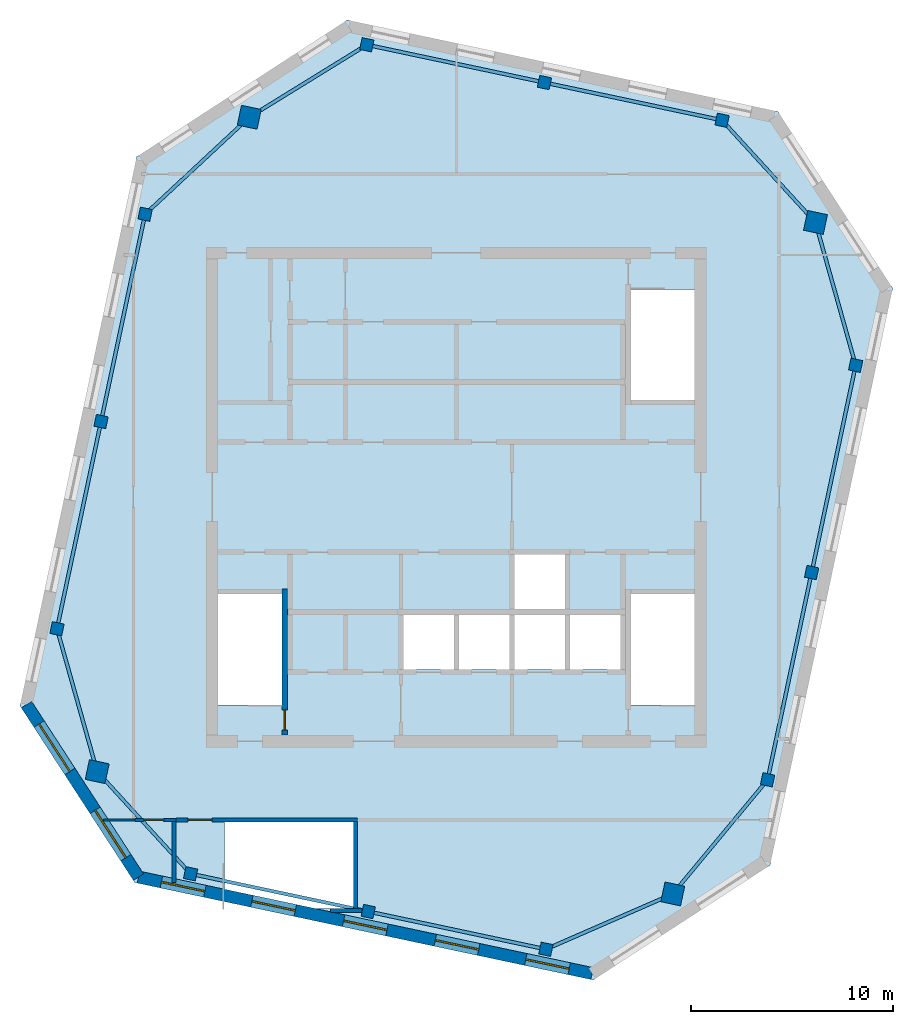
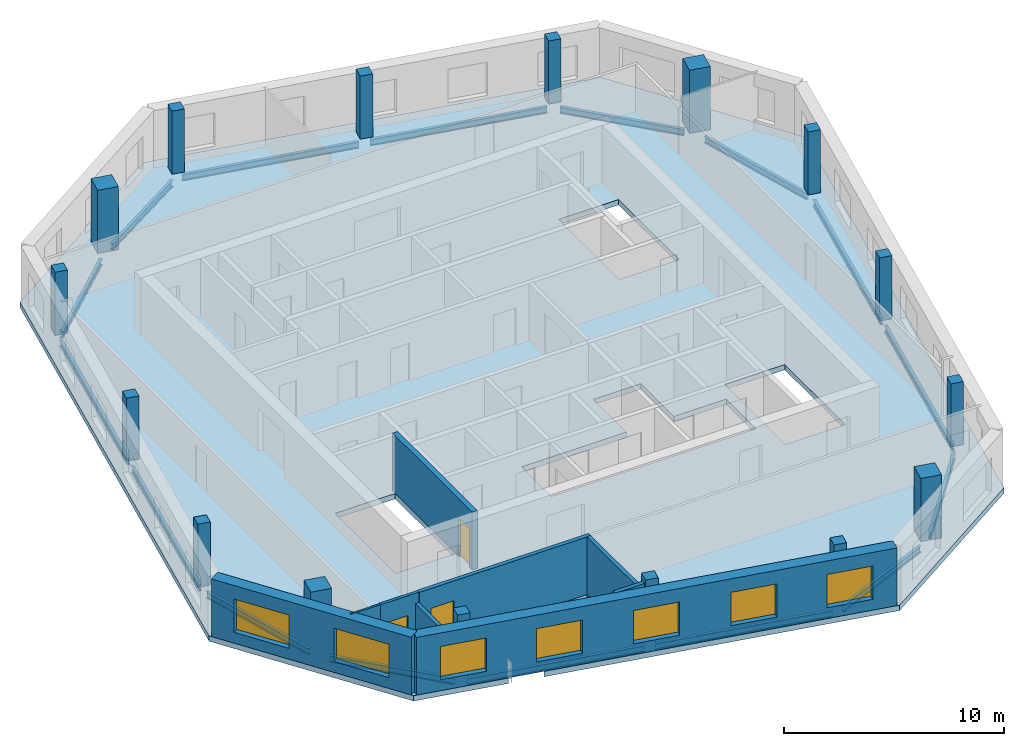
# One storey, part 1 of 6: 16 beams, 16 columns, 9 walls, 7 windows, 3 doors, 1 slab, 10 openings.
"""IFC4 building model written with IfcOpenShell, lengths in metres."""

from ifc_helpers import new_model, si_unit, direction, frame, frame_2d, origin, origin_2d, place, context, subcontext, project, spatial, polyline, rectangle, i_section, outline, extrude, material, layer, layer_set, material_profile, profile_set, type_object, element, fill, save


model = new_model("IFC4")

# Units and contexts
model_context = context("Model", 3, precision=1e-05, world=origin(), true_north=direction((0.0, 1.0)))
body_context = subcontext(model_context, "Body", "Model", "MODEL_VIEW")
ifc_project = project(units=[si_unit("LENGTHUNIT", "METRE"), si_unit("AREAUNIT", "SQUARE_METRE"), si_unit("VOLUMEUNIT", "CUBIC_METRE"), si_unit("PLANEANGLEUNIT", "RADIAN"), si_unit("MASSUNIT", "GRAM", prefix="KILO")], contexts=[model_context])

# Site, building, storey
site_placement = place(None, origin())
site = spatial("IfcSite", under=ifc_project, at=site_placement, CompositionType="ELEMENT")
building_placement = place(site_placement, origin())
building = spatial("IfcBuilding", under=site, at=building_placement, Name="Dilmun Exchange Tower", CompositionType="ELEMENT")
storey_placement = place(building_placement, frame((0.0, 0.0, 373.10009765625)))
storey = spatial("IfcBuildingStorey", under=building, at=storey_placement, Name="Crown L87", CompositionType="ELEMENT", Elevation=373.10009765625)

# Columns
ifc_material_1 = material(Name="Concrete C50/60", Category="concrete")
ifc_material_profile_1 = material_profile(ifc_material_1, rectangle(XDim=1.0, YDim=1.0, at=origin_2d()), Name="1000 x 1000")
ifc_profile_set_1 = profile_set([ifc_material_profile_1], Name="Concrete C50/60")
column_type_1 = type_object("IfcColumnType", Name="RC crown mega column 1000 x 1000 C50/60", PredefinedType="COLUMN", material=ifc_profile_set_1)
for number, where, z_axis, x_axis, name in (
    (1, (-10.260986328125, 18.820068359375, 0.0), (0.0, 0.0, 1.0), (0.207911690818, 0.978147600734, 0.0), "Crown column M1"),
    (2, (-17.798095703125, -13.60693359375, 0.0), (0.0, 0.0, 1.0), (0.207911690818, 0.978147600734, 0.0), "Crown column M2"),
    (3, (10.72509765625, -19.669921875, 0.0), (0.0, 0.0, 1.0), (0.207911690818, 0.978147600734, 0.0), "Crown column M3"),
    (4, (17.798095703125, 13.60693359375, 0.0), (0.0, 0.0, 1.0), (0.207911690818, 0.978147600734, 0.0), "Crown column M4"),
):
    element("IfcColumn", number, at=place(storey_placement, frame(where, z_axis=z_axis, x_axis=x_axis)), inside=storey, type_object=column_type_1, Name=name, PredefinedType="COLUMN", context=body_context, shape_type="SweptSolid", body=[
        extrude(rectangle(XDim=1.0, YDim=1.0, at=origin_2d()), origin(), (0.0, 0.0, 1.0), 3.5),
    ])
ifc_material_profile_2 = material_profile(ifc_material_1, rectangle(XDim=0.60009765625, YDim=0.60009765625, at=origin_2d()), Name="600 x 600")
ifc_profile_set_2 = profile_set([ifc_material_profile_2], Name="Concrete C50/60")
column_type_2 = type_object("IfcColumnType", Name="RC crown ring column 600 x 600 C50/60", PredefinedType="COLUMN", material=ifc_profile_set_2)
for number, where, z_axis, x_axis, name in (
    (5, (-15.424072265625, 14.012939453125, 0.0), (0.0, 0.0, 1.0), (0.207911690818, 0.978147600734, 0.0), "Crown column R01"),
    (6, (-17.60693359375, 3.741943359375, 0.0), (0.0, 0.0, 1.0), (0.207911690818, 0.978147600734, 0.0), "Crown column R02"),
    (7, (-19.7900390625, -6.528076171875, 0.0), (0.0, 0.0, 1.0), (0.207911690818, 0.978147600734, 0.0), "Crown column R03"),
    (8, (-13.1689453125, -18.669921875, 0.0), (0.0, 0.0, 1.0), (0.207911690818, 0.978147600734, 0.0), "Crown column R04"),
    (9, (-4.365966796875, -20.541015625, 0.0), (0.0, 0.0, 1.0), (0.207911690818, 0.978147600734, 0.0), "Crown column R05"),
    (10, (4.43701171875, -22.412109375, 0.0), (0.0, 0.0, 1.0), (0.207911690818, 0.978147600734, 0.0), "Crown column R06"),
    (11, (15.424072265625, -14.012939453125, 0.0), (0.0, 0.0, 1.0), (0.207911690818, 0.978147600734, 0.0), "Crown column R07"),
    (12, (17.60693359375, -3.741943359375, 0.0), (0.0, 0.0, 1.0), (0.207911690818, 0.978147600734, 0.0), "Crown column R08"),
    (13, (19.7900390625, 6.528076171875, 0.0), (0.0, 0.0, 1.0), (0.207911690818, 0.978147600734, 0.0), "Crown column R09"),
    (14, (13.1689453125, 18.669921875, 0.0), (0.0, 0.0, 1.0), (0.207911690818, 0.978147600734, 0.0), "Crown column R10"),
    (15, (4.365966796875, 20.541015625, 0.0), (0.0, 0.0, 1.0), (0.207911690818, 0.978147600734, 0.0), "Crown column R11"),
    (16, (-4.43701171875, 22.412109375, 0.0), (0.0, 0.0, 1.0), (0.207911690818, 0.978147600734, 0.0), "Crown column R12"),
):
    element("IfcColumn", number, at=place(storey_placement, frame(where, z_axis=z_axis, x_axis=x_axis)), inside=storey, type_object=column_type_2, Name=name, PredefinedType="COLUMN", context=body_context, shape_type="SweptSolid", body=[
        extrude(rectangle(XDim=0.60009765625, YDim=0.60009765625, at=origin_2d()), origin(), (0.0, 0.0, 1.0), 3.5),
    ])

# Beams
ifc_material_2 = material(Name="Steel S355", Category="steel")
ifc_material_profile_3 = material_profile(ifc_material_2, i_section(OverallWidth=0.169921875, OverallDepth=0.360107421875, WebThickness=0.008056640625, FlangeThickness=0.0126953125, FilletRadius=0.01806640625, at=origin_2d()), Name="IPE 360")
ifc_profile_set_3 = profile_set([ifc_material_profile_3], Name="Steel S355")
beam_type = type_object("IfcBeamType", Name="crown ring beam IPE 360", PredefinedType="BEAM", material=ifc_profile_set_3)
beam_1_placement = place(storey_placement, frame((-10.688232421875, 18.422119140625, -0.47998046875), z_axis=(-0.731902192128, -0.681409701398, 0.0), x_axis=(0.681409701398, -0.731902192128, 0.0)))
element("IfcBeam", 17, at=beam_1_placement, inside=storey, type_object=beam_type, Name="Crown ring beam 1", PredefinedType="BEAM", context=body_context, shape_type="SweptSolid", body=[
    extrude(i_section(OverallWidth=0.169921875, OverallDepth=0.360107421875, WebThickness=0.008056640625, FlangeThickness=0.0126953125, FilletRadius=0.01806640625, at=origin_2d()), origin(), (0.0, 0.0, 1.0), 6.131103515625),
])
beam_2_placement = place(storey_placement, frame((-15.480712890625, 13.74609375, -0.47998046875), z_axis=(-0.207902460752, -0.978149562599, 0.0), x_axis=(0.978149562599, -0.207902460752, 0.0)))
element("IfcBeam", 18, at=beam_2_placement, inside=storey, type_object=beam_type, Name="Crown ring beam 2", PredefinedType="BEAM", context=body_context, shape_type="SweptSolid", body=[
    extrude(i_section(OverallWidth=0.169921875, OverallDepth=0.360107421875, WebThickness=0.008056640625, FlangeThickness=0.0126953125, FilletRadius=0.01806640625, at=origin_2d()), origin(), (0.0, 0.0, 1.0), 9.95458984375),
])
beam_3_placement = place(storey_placement, frame((-17.663818359375, 3.47509765625, -0.47998046875), z_axis=(-0.207898944968, -0.978150309861, 0.0), x_axis=(0.978150309861, -0.207898944968, 0.0)))
element("IfcBeam", 19, at=beam_3_placement, inside=storey, type_object=beam_type, Name="Crown ring beam 3", PredefinedType="BEAM", context=body_context, shape_type="SweptSolid", body=[
    extrude(i_section(OverallWidth=0.169921875, OverallDepth=0.360107421875, WebThickness=0.008056640625, FlangeThickness=0.0126953125, FilletRadius=0.01806640625, at=origin_2d()), origin(), (0.0, 0.0, 1.0), 9.95361328125),
])
beam_4_placement = place(storey_placement, frame((-19.70556640625, -6.828125, -0.47998046875), z_axis=(0.27088688056, -0.962611187313, 0.0), x_axis=(0.962611187313, 0.27088688056, 0.0)))
element("IfcBeam", 20, at=beam_4_placement, inside=storey, type_object=beam_type, Name="Crown ring beam 4", PredefinedType="BEAM", context=body_context, shape_type="SweptSolid", body=[
    extrude(i_section(OverallWidth=0.169921875, OverallDepth=0.360107421875, WebThickness=0.008056640625, FlangeThickness=0.0126953125, FilletRadius=0.01806640625, at=origin_2d()), origin(), (0.0, 0.0, 1.0), 6.50439453125),
])
beam_5_placement = place(storey_placement, frame((-17.401611328125, -14.040771484375, -0.47998046875), z_axis=(0.674784574678, -0.738014754443, 0.0), x_axis=(0.738014754443, 0.674784574678, 0.0)))
element("IfcBeam", 21, at=beam_5_placement, inside=storey, type_object=beam_type, Name="Crown ring beam 5", PredefinedType="BEAM", context=body_context, shape_type="SweptSolid", body=[
    extrude(i_section(OverallWidth=0.169921875, OverallDepth=0.360107421875, WebThickness=0.008056640625, FlangeThickness=0.0126953125, FilletRadius=0.01806640625, at=origin_2d()), origin(), (0.0, 0.0, 1.0), 5.9306640625),
])
for number, where, z_axis, x_axis, name in (
    (22, (-12.902099609375, -18.726806640625, -0.47998046875), (0.978155180899, -0.207876025749, 0.0), (0.207876025749, 0.978155180899, 0.0), "Crown ring beam 6"),
    (23, (-4.09912109375, -20.597900390625, -0.47998046875), (0.978155180899, -0.207876025749, 0.0), (0.207876025749, 0.978155180899, 0.0), "Crown ring beam 7"),
):
    element("IfcBeam", number, at=place(storey_placement, frame(where, z_axis=z_axis, x_axis=x_axis)), inside=storey, type_object=beam_type, Name=name, PredefinedType="BEAM", context=body_context, shape_type="SweptSolid", body=[
        extrude(i_section(OverallWidth=0.169921875, OverallDepth=0.360107421875, WebThickness=0.008056640625, FlangeThickness=0.0126953125, FilletRadius=0.01806640625, at=origin_2d()), origin(), (0.0, 0.0, 1.0), 8.45361328125),
    ])
beam_6_placement = place(storey_placement, frame((4.750244140625, -22.275390625, -0.47998046875), z_axis=(0.916630994698, 0.399734436294, 0.0), x_axis=(-0.399734436294, 0.916630994698, 0.0)))
element("IfcBeam", 24, at=beam_6_placement, inside=storey, type_object=beam_type, Name="Crown ring beam 8", PredefinedType="BEAM", context=body_context, shape_type="SweptSolid", body=[
    extrude(i_section(OverallWidth=0.169921875, OverallDepth=0.360107421875, WebThickness=0.008056640625, FlangeThickness=0.0126953125, FilletRadius=0.01806640625, at=origin_2d()), origin(), (0.0, 0.0, 1.0), 5.930419921875),
])
beam_7_placement = place(storey_placement, frame((11.068603515625, -19.25634765625, -0.47998046875), z_axis=(0.638957852537, 0.76924174528, 0.0), x_axis=(-0.76924174528, 0.638957852537, 0.0)))
element("IfcBeam", 25, at=beam_7_placement, inside=storey, type_object=beam_type, Name="Crown ring beam 9", PredefinedType="BEAM", context=body_context, shape_type="SweptSolid", body=[
    extrude(i_section(OverallWidth=0.169921875, OverallDepth=0.360107421875, WebThickness=0.008056640625, FlangeThickness=0.0126953125, FilletRadius=0.01806640625, at=origin_2d()), origin(), (0.0, 0.0, 1.0), 6.50439453125),
])
beam_8_placement = place(storey_placement, frame((15.480712890625, -13.74609375, -0.47998046875), z_axis=(0.207902460752, 0.978149562599, 0.0), x_axis=(-0.978149562599, 0.207902460752, 0.0)))
element("IfcBeam", 26, at=beam_8_placement, inside=storey, type_object=beam_type, Name="Crown ring beam 10", PredefinedType="BEAM", context=body_context, shape_type="SweptSolid", body=[
    extrude(i_section(OverallWidth=0.169921875, OverallDepth=0.360107421875, WebThickness=0.008056640625, FlangeThickness=0.0126953125, FilletRadius=0.01806640625, at=origin_2d()), origin(), (0.0, 0.0, 1.0), 9.95458984375),
])
beam_9_placement = place(storey_placement, frame((17.663818359375, -3.47509765625, -0.47998046875), z_axis=(0.207898944968, 0.978150309861, 0.0), x_axis=(-0.978150309861, 0.207898944968, 0.0)))
element("IfcBeam", 27, at=beam_9_placement, inside=storey, type_object=beam_type, Name="Crown ring beam 11", PredefinedType="BEAM", context=body_context, shape_type="SweptSolid", body=[
    extrude(i_section(OverallWidth=0.169921875, OverallDepth=0.360107421875, WebThickness=0.008056640625, FlangeThickness=0.0126953125, FilletRadius=0.01806640625, at=origin_2d()), origin(), (0.0, 0.0, 1.0), 9.95361328125),
])
beam_10_placement = place(storey_placement, frame((19.70556640625, 6.828125, -0.47998046875), z_axis=(-0.27088688056, 0.962611187313, 0.0), x_axis=(-0.962611187313, -0.27088688056, 0.0)))
element("IfcBeam", 28, at=beam_10_placement, inside=storey, type_object=beam_type, Name="Crown ring beam 12", PredefinedType="BEAM", context=body_context, shape_type="SweptSolid", body=[
    extrude(i_section(OverallWidth=0.169921875, OverallDepth=0.360107421875, WebThickness=0.008056640625, FlangeThickness=0.0126953125, FilletRadius=0.01806640625, at=origin_2d()), origin(), (0.0, 0.0, 1.0), 6.50439453125),
])
beam_11_placement = place(storey_placement, frame((17.401611328125, 14.040771484375, -0.47998046875), z_axis=(-0.674784574678, 0.738014754443, 0.0), x_axis=(-0.738014754443, -0.674784574678, 0.0)))
element("IfcBeam", 29, at=beam_11_placement, inside=storey, type_object=beam_type, Name="Crown ring beam 13", PredefinedType="BEAM", context=body_context, shape_type="SweptSolid", body=[
    extrude(i_section(OverallWidth=0.169921875, OverallDepth=0.360107421875, WebThickness=0.008056640625, FlangeThickness=0.0126953125, FilletRadius=0.01806640625, at=origin_2d()), origin(), (0.0, 0.0, 1.0), 5.9306640625),
])
for number, where, z_axis, x_axis, name in (
    (30, (12.902099609375, 18.726806640625, -0.47998046875), (-0.978155180899, 0.207876025749, 0.0), (-0.207876025749, -0.978155180899, 0.0), "Crown ring beam 14"),
    (31, (4.09912109375, 20.597900390625, -0.47998046875), (-0.978155180899, 0.207876025749, 0.0), (-0.207876025749, -0.978155180899, 0.0), "Crown ring beam 15"),
):
    element("IfcBeam", number, at=place(storey_placement, frame(where, z_axis=z_axis, x_axis=x_axis)), inside=storey, type_object=beam_type, Name=name, PredefinedType="BEAM", context=body_context, shape_type="SweptSolid", body=[
        extrude(i_section(OverallWidth=0.169921875, OverallDepth=0.360107421875, WebThickness=0.008056640625, FlangeThickness=0.0126953125, FilletRadius=0.01806640625, at=origin_2d()), origin(), (0.0, 0.0, 1.0), 8.45361328125),
    ])
beam_12_placement = place(storey_placement, frame((-4.76708984375, 22.20849609375, -0.47998046875), z_axis=(-0.851138218853, -0.524941646669, 0.0), x_axis=(0.524941646669, -0.851138218853, 0.0)))
element("IfcBeam", 32, at=beam_12_placement, inside=storey, type_object=beam_type, Name="Crown ring beam 16", PredefinedType="BEAM", context=body_context, shape_type="SweptSolid", body=[
    extrude(i_section(OverallWidth=0.169921875, OverallDepth=0.360107421875, WebThickness=0.008056640625, FlangeThickness=0.0126953125, FilletRadius=0.01806640625, at=origin_2d()), origin(), (0.0, 0.0, 1.0), 5.790771484375),
])

# Slab
ifc_material_3 = material(Name="Concrete C40/50", Category="concrete")
ifc_layer_1 = layer(ifc_material_3, 0.300048828125)
ifc_layer_set_1 = layer_set([ifc_layer_1], Name="Concrete C40/50")
slab_type = type_object("IfcSlabType", Name="RC floor slab 300", PredefinedType="FLOOR", material=ifc_layer_set_1)
slab_placement = place(storey_placement, frame((0.0, 0.0, -0.300048828125)))
element("IfcSlab", 33, at=slab_placement, inside=storey, type_object=slab_type, Name="Floor slab", PredefinedType="FLOOR", context=body_context, shape_type="SweptSolid", body=[
    extrude(outline(polyline([(-21.62353515625, -10.345458984375), (-15.840087890625, 16.86279296875), (-5.404052734375, 23.64013671875), (15.935546875, 19.104248046875), (21.62353515625, 10.345458984375), (15.546142578125, -18.24609375), (6.787353515625, -23.93408203125), (-9.839599609375, -20.39990234375), (-5.10498046875, -20.39990234375), (-5.10498046875, -16.10205078125), (-11.4951171875, -16.10205078125), (-11.4951171875, -20.048095703125), (-15.935546875, -19.104248046875), (-21.62353515625, -10.345458984375)]), holes=[polyline([(-8.64990234375, -4.800048828125), (-11.800048828125, -4.800048828125), (-11.800048828125, -10.294921875), (-8.64990234375, -10.294921875), (-8.64990234375, -4.800048828125)]), polyline([(11.800048828125, -4.800048828125), (8.64990234375, -4.800048828125), (8.64990234375, -10.294921875), (11.800048828125, -10.294921875), (11.800048828125, -4.800048828125)]), polyline([(2.875, -5.85009765625), (-2.625, -5.85009765625), (-2.625, -8.550048828125), (8.125, -8.550048828125), (8.125, -5.85009765625), (5.375, -5.85009765625), (5.375, -2.85009765625), (2.875, -2.85009765625), (2.875, -5.85009765625)]), polyline([(8.64990234375, 10.294921875), (8.64990234375, 4.800048828125), (11.800048828125, 4.800048828125), (11.800048828125, 10.294921875), (8.64990234375, 10.294921875)])]), origin(), (0.0, 0.0, 1.0), 0.300048828125),
])

# Wall, opening, door
ifc_material_4 = material(Name="Fire partition EI 60 150 gypsum")
ifc_layer_2 = layer(ifc_material_4, 0.14990234375)
ifc_layer_set_2 = layer_set([ifc_layer_2], Name="Fire partition EI 60 150 gypsum")
wall_type_1 = type_object("IfcWallType", Name="Fire partition EI 60 150 gypsum", PredefinedType="PARTITIONING", material=ifc_layer_set_2)
wall_1_placement = place(storey_placement, frame((-15.925048828125, -16.0, 0.0), z_axis=(0.0, 0.0, 1.0), x_axis=(1.0, 0.0, 0.0)))
wall_1 = element("IfcWall", 34, at=wall_1_placement, inside=storey, type_object=wall_type_1, Name="Crown L87 partition", PredefinedType="PARTITIONING", context=body_context, shape_type="SweptSolid", body=[
    extrude(rectangle(XDim=2.025146484375, YDim=0.14990234375, at=frame_2d((1.0126953125, 0.0))), origin(), (0.0, 0.0, 1.0), 3.199951171875),
])
opening_1_placement = place(wall_1_placement, frame((0.425048828125, 0.0, 0.0)))
opening_1 = element("IfcOpeningElement", 35, at=opening_1_placement, cuts=wall_1, Name="Opening CrownL87-D004", PredefinedType="OPENING", context=body_context, shape_type="SweptSolid", body=[
    extrude(rectangle(XDim=1.0, YDim=2.10009765625, at=frame_2d((0.5, 1.050048828125))), frame((0.0, 0.0849609375, 0.0), z_axis=(0.0, -1.0, 0.0), x_axis=(1.0, 0.0, 0.0)), (0.0, 0.0, 1.0), 0.169921875),
])
ifc_material_5 = material(Name="Fire door FD60 1000 x 2100")
door_type_1 = type_object("IfcDoorType", Name="Fire door FD60 1000 x 2100", OperationType="SINGLE_SWING_LEFT", PredefinedType="DOOR", material=ifc_material_5)
door_1_placement = place(opening_1_placement, origin())
door_1 = element("IfcDoor", 36, at=door_1_placement, inside=storey, type_object=door_type_1, Name="Crown L87 door CrownL87-D004", OperationType="SINGLE_SWING_RIGHT", OverallHeight=2.10009765625, OverallWidth=1.0, PredefinedType="DOOR", context=body_context, shape_type="SweptSolid", body=[
    extrude(rectangle(XDim=1.0, YDim=2.10009765625, at=frame_2d((0.5, 1.050048828125))), frame((0.0, 0.02490234375, 0.0), z_axis=(0.0, -1.0, 0.0), x_axis=(1.0, 0.0, 0.0)), (0.0, 0.0, 1.0), 0.050048828125),
])
fill(opening_1, door_1)

# Wall
ifc_material_6 = material(Name="Fire wall EI 120 200 blockwork", Category="masonry")
ifc_layer_3 = layer(ifc_material_6, 0.199951171875)
ifc_layer_set_3 = layer_set([ifc_layer_3], Name="Fire wall EI 120 200 blockwork")
wall_type_2 = type_object("IfcWallType", Name="Fire wall EI 120 200 blockwork", PredefinedType="PARTITIONING", material=ifc_layer_set_3)
wall_2_placement = place(storey_placement, frame((-6.225341796875, -20.5, 0.0), z_axis=(0.0, 0.0, 1.0), x_axis=(1.0, 0.0, 0.0)))
element("IfcWall", 37, at=wall_2_placement, inside=storey, type_object=wall_type_2, Name="Crown L87 stair wall", PredefinedType="PARTITIONING", context=body_context, shape_type="SweptSolid", body=[
    extrude(rectangle(XDim=1.559326171875, YDim=0.199951171875, at=frame_2d((0.77978515625, 0.0))), origin(), (0.0, 0.0, 1.0), 3.199951171875),
])

# Wall, opening, door
wall_3_placement = place(storey_placement, frame((-13.89990234375, -16.0, 0.0), z_axis=(0.0, 0.0, 1.0), x_axis=(1.0, 0.0, 0.0)))
wall_3 = element("IfcWall", 38, at=wall_3_placement, inside=storey, type_object=wall_type_2, Name="Crown L87 stair wall", PredefinedType="PARTITIONING", context=body_context, shape_type="SweptSolid", body=[
    extrude(rectangle(XDim=9.0, YDim=0.199951171875, at=frame_2d((4.5, 0.0))), origin(), (0.0, 0.0, 1.0), 3.199951171875),
])
opening_2_placement = place(wall_3_placement, frame((0.60009765625, 0.0, 0.0)))
opening_2 = element("IfcOpeningElement", 39, at=opening_2_placement, cuts=wall_3, Name="Opening CrownL87-D001", PredefinedType="OPENING", context=body_context, shape_type="SweptSolid", body=[
    extrude(rectangle(XDim=1.199951171875, YDim=2.10009765625, at=frame_2d((0.60009765625, 1.050048828125))), frame((0.0, 0.10986328125, 0.0), z_axis=(0.0, -1.0, 0.0), x_axis=(1.0, 0.0, 0.0)), (0.0, 0.0, 1.0), 0.219970703125),
])
ifc_material_7 = material(Name="Stair door FD90 1200 x 2100")
door_type_2 = type_object("IfcDoorType", Name="Stair door FD90 1200 x 2100", OperationType="SINGLE_SWING_LEFT", PredefinedType="DOOR", material=ifc_material_7)
door_2_placement = place(opening_2_placement, frame((1.199951171875, 0.0, 0.0), z_axis=(0.0, 0.0, 1.0), x_axis=(-1.0, 0.0, 0.0)))
door_2 = element("IfcDoor", 40, at=door_2_placement, inside=storey, type_object=door_type_2, Name="Crown L87 door CrownL87-D001", OperationType="SINGLE_SWING_LEFT", OverallHeight=2.10009765625, OverallWidth=1.199951171875, PredefinedType="DOOR", context=body_context, shape_type="SweptSolid", body=[
    extrude(rectangle(XDim=1.199951171875, YDim=2.10009765625, at=frame_2d((0.60009765625, 1.050048828125))), frame((0.0, 0.02490234375, 0.0), z_axis=(0.0, -1.0, 0.0), x_axis=(1.0, 0.0, 0.0)), (0.0, 0.0, 1.0), 0.050048828125),
])
fill(opening_2, door_2)

# Walls
wall_4_placement = place(storey_placement, frame((-14.0, -19.106689453125, 0.0), z_axis=(0.0, 0.0, 1.0), x_axis=(0.0, 1.0, 0.0)))
element("IfcWall", 41, at=wall_4_placement, inside=storey, type_object=wall_type_2, Name="Crown L87 stair wall", PredefinedType="PARTITIONING", context=body_context, shape_type="SweptSolid", body=[
    extrude(rectangle(XDim=3.03173828125, YDim=0.199951171875, at=frame_2d((1.515869140625, 0.0))), origin(), (0.0, 0.0, 1.0), 2.6298828125),
])
wall_5_placement = place(storey_placement, frame((-5.0, -20.39990234375, 0.0), z_axis=(0.0, 0.0, 1.0), x_axis=(0.0, 1.0, 0.0)))
element("IfcWall", 42, at=wall_5_placement, inside=storey, type_object=wall_type_2, Name="Crown L87 stair wall", PredefinedType="PARTITIONING", context=body_context, shape_type="SweptSolid", body=[
    extrude(rectangle(XDim=4.324951171875, YDim=0.199951171875, at=frame_2d((2.16259765625, 0.0))), origin(), (0.0, 0.0, 1.0), 3.199951171875),
])
ifc_material_8 = material(Name="Partition 100 gypsum")
ifc_layer_4 = layer(ifc_material_8, 0.10009765625)
ifc_layer_set_4 = layer_set([ifc_layer_4], Name="Partition 100 gypsum")
wall_type_3 = type_object("IfcWallType", Name="Partition 100 gypsum", PredefinedType="PARTITIONING", material=ifc_layer_set_4)
wall_6_placement = place(storey_placement, frame((-17.474609375, -16.0, 0.0), z_axis=(0.0, 0.0, 1.0), x_axis=(1.0, 0.0, 0.0)))
element("IfcWall", 43, at=wall_6_placement, inside=storey, type_object=wall_type_3, Name="Crown L87 partition", PredefinedType="PARTITIONING", context=body_context, shape_type="SweptSolid", body=[
    extrude(rectangle(XDim=1.549560546875, YDim=0.10009765625, at=frame_2d((0.77490234375, 0.0))), origin(), (0.0, 0.0, 1.0), 3.199951171875),
])

# Wall, openings, windows
ifc_material_9 = material(Name="Precast concrete C50/60", Category="concrete")
ifc_layer_5 = layer(ifc_material_9, 0.60009765625)
ifc_layer_set_5 = layer_set([ifc_layer_5], Name="Precast concrete C50/60")
wall_type_4 = type_object("IfcWallType", Name="Precast stone-clad wall 600", PredefinedType="STANDARD", material=ifc_layer_set_5)
wall_7_placement = place(storey_placement, frame((-21.30419921875, -10.286376953125, 0.0), z_axis=(0.0, 0.0, 1.0), x_axis=(0.544646568575, -0.838665675546, 0.0)))
wall_7 = element("IfcWall", 44, at=wall_7_placement, inside=storey, type_object=wall_type_4, Name="Facade wall Crown L87-06", PredefinedType="STANDARD", context=body_context, shape_type="SweptSolid", body=[
    extrude(rectangle(XDim=10.195068359375, YDim=0.60009765625, at=frame_2d((5.09765625, 0.0))), origin(), (0.0, 0.0, 1.0), 3.199951171875),
])
opening_3_placement = place(wall_7_placement, frame((1.148681640625, 0.0, 0.60009765625)))
opening_3 = element("IfcOpeningElement", 45, at=opening_3_placement, cuts=wall_7, Name="Opening LV280-185", PredefinedType="OPENING", context=body_context, shape_type="SweptSolid", body=[
    extrude(rectangle(XDim=2.800048828125, YDim=1.85009765625, at=frame_2d((1.39990234375, 0.925048828125))), frame((0.0, 0.31005859375, 0.0), z_axis=(0.0, -1.0, 0.0), x_axis=(1.0, 0.0, 0.0)), (0.0, 0.0, 1.0), 0.6201171875),
])
opening_4_placement = place(wall_7_placement, frame((6.246337890625, 0.0, 0.60009765625)))
opening_4 = element("IfcOpeningElement", 46, at=opening_4_placement, cuts=wall_7, Name="Opening LV280-185", PredefinedType="OPENING", context=body_context, shape_type="SweptSolid", body=[
    extrude(rectangle(XDim=2.800048828125, YDim=1.85009765625, at=frame_2d((1.39990234375, 0.925048828125))), frame((0.0, 0.31005859375, 0.0), z_axis=(0.0, -1.0, 0.0), x_axis=(1.0, 0.0, 0.0)), (0.0, 0.0, 1.0), 0.6201171875),
])
ifc_material_10 = material(Name="Anodised aluminium louvre blades with sand trap", Category="aluminium")
window_type_1 = type_object("IfcWindowType", Name="Plant louvre 2800 x 1850", PartitioningType="SINGLE_PANEL", PredefinedType="USERDEFINED", material=ifc_material_10)
window_1_placement = place(opening_3_placement, origin())
window_1 = element("IfcWindow", 47, at=window_1_placement, inside=storey, type_object=window_type_1, Name="Plant louvre 7.1", ObjectType="LOUVRE", OverallHeight=1.85009765625, OverallWidth=2.800048828125, PartitioningType="SINGLE_PANEL", PredefinedType="USERDEFINED", context=body_context, shape_type="SweptSolid", body=[
    extrude(rectangle(XDim=2.800048828125, YDim=1.85009765625, at=frame_2d((1.39990234375, 0.925048828125))), frame((0.0, 0.030029296875, 0.0), z_axis=(0.0, -1.0, 0.0), x_axis=(1.0, 0.0, 0.0)), (0.0, 0.0, 1.0), 0.06005859375),
])
fill(opening_3, window_1)
window_2_placement = place(opening_4_placement, origin())
window_2 = element("IfcWindow", 48, at=window_2_placement, inside=storey, type_object=window_type_1, Name="Plant louvre 7.2", ObjectType="LOUVRE", OverallHeight=1.85009765625, OverallWidth=2.800048828125, PartitioningType="SINGLE_PANEL", PredefinedType="USERDEFINED", context=body_context, shape_type="SweptSolid", body=[
    extrude(rectangle(XDim=2.800048828125, YDim=1.85009765625, at=frame_2d((1.39990234375, 0.925048828125))), frame((0.0, 0.030029296875, 0.0), z_axis=(0.0, -1.0, 0.0), x_axis=(1.0, 0.0, 0.0)), (0.0, 0.0, 1.0), 0.06005859375),
])
fill(opening_4, window_2)

wall_8_placement = place(storey_placement, frame((-15.75146484375, -18.836669921875, 0.0), z_axis=(0.0, 0.0, 1.0), x_axis=(0.978146672891, -0.207916055929, 0.0)))
wall_8 = element("IfcWall", 49, at=wall_8_placement, inside=storey, type_object=wall_type_4, Name="Facade wall Crown L87-07", PredefinedType="STANDARD", context=body_context, shape_type="SweptSolid", body=[
    extrude(rectangle(XDim=22.98193359375, YDim=0.60009765625, at=frame_2d((11.490966796875, 0.0))), origin(), (0.0, 0.0, 1.0), 3.199951171875),
])
opening_5_placement = place(wall_8_placement, frame((1.160888671875, 0.0, 0.60009765625)))
opening_5 = element("IfcOpeningElement", 50, at=opening_5_placement, cuts=wall_8, Name="Opening LV220-185", PredefinedType="OPENING", context=body_context, shape_type="SweptSolid", body=[
    extrude(rectangle(XDim=2.199951171875, YDim=1.85009765625, at=frame_2d((1.10009765625, 0.925048828125))), frame((0.0, 0.31005859375, 0.0), z_axis=(0.0, -1.0, 0.0), x_axis=(1.0, 0.0, 0.0)), (0.0, 0.0, 1.0), 0.6201171875),
])
opening_6_placement = place(wall_8_placement, frame((5.744873046875, 0.0, 0.60009765625)))
opening_6 = element("IfcOpeningElement", 51, at=opening_6_placement, cuts=wall_8, Name="Opening LV220-185", PredefinedType="OPENING", context=body_context, shape_type="SweptSolid", body=[
    extrude(rectangle(XDim=2.199951171875, YDim=1.85009765625, at=frame_2d((1.10009765625, 0.925048828125))), frame((0.0, 0.31005859375, 0.0), z_axis=(0.0, -1.0, 0.0), x_axis=(1.0, 0.0, 0.0)), (0.0, 0.0, 1.0), 0.6201171875),
])
opening_7_placement = place(wall_8_placement, frame((10.39111328125, 0.0, 0.60009765625)))
opening_7 = element("IfcOpeningElement", 52, at=opening_7_placement, cuts=wall_8, Name="Opening LV220-185", PredefinedType="OPENING", context=body_context, shape_type="SweptSolid", body=[
    extrude(rectangle(XDim=2.199951171875, YDim=1.85009765625, at=frame_2d((1.10009765625, 0.925048828125))), frame((0.0, 0.31005859375, 0.0), z_axis=(0.0, -1.0, 0.0), x_axis=(1.0, 0.0, 0.0)), (0.0, 0.0, 1.0), 0.6201171875),
])
opening_8_placement = place(wall_8_placement, frame((15.037109375, 0.0, 0.60009765625)))
opening_8 = element("IfcOpeningElement", 53, at=opening_8_placement, cuts=wall_8, Name="Opening LV220-185", PredefinedType="OPENING", context=body_context, shape_type="SweptSolid", body=[
    extrude(rectangle(XDim=2.199951171875, YDim=1.85009765625, at=frame_2d((1.10009765625, 0.925048828125))), frame((0.0, 0.31005859375, 0.0), z_axis=(0.0, -1.0, 0.0), x_axis=(1.0, 0.0, 0.0)), (0.0, 0.0, 1.0), 0.6201171875),
])
opening_9_placement = place(wall_8_placement, frame((19.62109375, 0.0, 0.60009765625)))
opening_9 = element("IfcOpeningElement", 54, at=opening_9_placement, cuts=wall_8, Name="Opening LV220-185", PredefinedType="OPENING", context=body_context, shape_type="SweptSolid", body=[
    extrude(rectangle(XDim=2.199951171875, YDim=1.85009765625, at=frame_2d((1.10009765625, 0.925048828125))), frame((0.0, 0.31005859375, 0.0), z_axis=(0.0, -1.0, 0.0), x_axis=(1.0, 0.0, 0.0)), (0.0, 0.0, 1.0), 0.6201171875),
])
window_type_2 = type_object("IfcWindowType", Name="Plant louvre 2200 x 1850", PartitioningType="SINGLE_PANEL", PredefinedType="USERDEFINED", material=ifc_material_10)
window_3_placement = place(opening_5_placement, origin())
window_3 = element("IfcWindow", 55, at=window_3_placement, inside=storey, type_object=window_type_2, Name="Plant louvre 8.1", ObjectType="LOUVRE", OverallHeight=1.85009765625, OverallWidth=2.199951171875, PartitioningType="SINGLE_PANEL", PredefinedType="USERDEFINED", context=body_context, shape_type="SweptSolid", body=[
    extrude(rectangle(XDim=2.199951171875, YDim=1.85009765625, at=frame_2d((1.10009765625, 0.925048828125))), frame((0.0, 0.030029296875, 0.0), z_axis=(0.0, -1.0, 0.0), x_axis=(1.0, 0.0, 0.0)), (0.0, 0.0, 1.0), 0.06005859375),
])
fill(opening_5, window_3)
window_4_placement = place(opening_6_placement, origin())
window_4 = element("IfcWindow", 56, at=window_4_placement, inside=storey, type_object=window_type_2, Name="Plant louvre 8.2", ObjectType="LOUVRE", OverallHeight=1.85009765625, OverallWidth=2.199951171875, PartitioningType="SINGLE_PANEL", PredefinedType="USERDEFINED", context=body_context, shape_type="SweptSolid", body=[
    extrude(rectangle(XDim=2.199951171875, YDim=1.85009765625, at=frame_2d((1.10009765625, 0.925048828125))), frame((0.0, 0.030029296875, 0.0), z_axis=(0.0, -1.0, 0.0), x_axis=(1.0, 0.0, 0.0)), (0.0, 0.0, 1.0), 0.06005859375),
])
fill(opening_6, window_4)
window_5_placement = place(opening_7_placement, origin())
window_5 = element("IfcWindow", 57, at=window_5_placement, inside=storey, type_object=window_type_2, Name="Plant louvre 8.3", ObjectType="LOUVRE", OverallHeight=1.85009765625, OverallWidth=2.199951171875, PartitioningType="SINGLE_PANEL", PredefinedType="USERDEFINED", context=body_context, shape_type="SweptSolid", body=[
    extrude(rectangle(XDim=2.199951171875, YDim=1.85009765625, at=frame_2d((1.10009765625, 0.925048828125))), frame((0.0, 0.030029296875, 0.0), z_axis=(0.0, -1.0, 0.0), x_axis=(1.0, 0.0, 0.0)), (0.0, 0.0, 1.0), 0.06005859375),
])
fill(opening_7, window_5)
window_6_placement = place(opening_8_placement, origin())
window_6 = element("IfcWindow", 58, at=window_6_placement, inside=storey, type_object=window_type_2, Name="Plant louvre 8.4", ObjectType="LOUVRE", OverallHeight=1.85009765625, OverallWidth=2.199951171875, PartitioningType="SINGLE_PANEL", PredefinedType="USERDEFINED", context=body_context, shape_type="SweptSolid", body=[
    extrude(rectangle(XDim=2.199951171875, YDim=1.85009765625, at=frame_2d((1.10009765625, 0.925048828125))), frame((0.0, 0.030029296875, 0.0), z_axis=(0.0, -1.0, 0.0), x_axis=(1.0, 0.0, 0.0)), (0.0, 0.0, 1.0), 0.06005859375),
])
fill(opening_8, window_6)
window_7_placement = place(opening_9_placement, origin())
window_7 = element("IfcWindow", 59, at=window_7_placement, inside=storey, type_object=window_type_2, Name="Plant louvre 8.5", ObjectType="LOUVRE", OverallHeight=1.85009765625, OverallWidth=2.199951171875, PartitioningType="SINGLE_PANEL", PredefinedType="USERDEFINED", context=body_context, shape_type="SweptSolid", body=[
    extrude(rectangle(XDim=2.199951171875, YDim=1.85009765625, at=frame_2d((1.10009765625, 0.925048828125))), frame((0.0, 0.030029296875, 0.0), z_axis=(0.0, -1.0, 0.0), x_axis=(1.0, 0.0, 0.0)), (0.0, 0.0, 1.0), 0.06005859375),
])
fill(opening_9, window_7)

# Wall, opening, door
ifc_layer_6 = layer(ifc_material_3, 0.27490234375)
ifc_layer_set_6 = layer_set([ifc_layer_6], Name="Concrete C40/50")
wall_type_5 = type_object("IfcWallType", Name="Stair wall 275", PredefinedType="SOLIDWALL", material=ifc_layer_set_6)
wall_9_placement = place(storey_placement, frame((-8.512451171875, -4.550048828125, 0.0), z_axis=(0.0, 0.0, 1.0), x_axis=(0.0, -1.0, 0.0)))
wall_9 = element("IfcWall", 60, at=wall_9_placement, inside=storey, type_object=wall_type_5, Name="Crown L87 ST2 wall to lift block", PredefinedType="SOLIDWALL", context=body_context, shape_type="SweptSolid", body=[
    extrude(rectangle(XDim=7.25, YDim=0.27490234375, at=frame_2d((3.625, 0.0))), origin(), (0.0, 0.0, 1.0), 3.199951171875),
])
opening_10_placement = place(wall_9_placement, frame((6.0, 0.0, 0.0)))
opening_10 = element("IfcOpeningElement", 61, at=opening_10_placement, cuts=wall_9, Name="Opening CD4", PredefinedType="OPENING", context=body_context, shape_type="SweptSolid", body=[
    extrude(rectangle(XDim=1.0, YDim=2.10009765625, at=frame_2d((0.5, 1.050048828125))), frame((0.0, 0.1474609375, 0.0), z_axis=(0.0, -1.0, 0.0), x_axis=(1.0, 0.0, 0.0)), (0.0, 0.0, 1.0), 0.294921875),
])
ifc_material_11 = material(Name="Fire-rated steel door set", Category="steel")
door_type_3 = type_object("IfcDoorType", Name="Core room door 1000x2100", OperationType="SINGLE_SWING_LEFT", PredefinedType="DOOR", material=ifc_material_11)
door_3_placement = place(opening_10_placement, origin())
door_3 = element("IfcDoor", 62, at=door_3_placement, inside=storey, type_object=door_type_3, Name="Crown L87 door ST2 from lobby", OperationType="SINGLE_SWING_LEFT", OverallHeight=2.10009765625, OverallWidth=1.0, PredefinedType="DOOR", context=body_context, shape_type="SweptSolid", body=[
    extrude(rectangle(XDim=1.0, YDim=2.10009765625, at=frame_2d((0.5, 1.050048828125))), frame((0.0, 0.02490234375, 0.0), z_axis=(0.0, -1.0, 0.0), x_axis=(1.0, 0.0, 0.0)), (0.0, 0.0, 1.0), 0.050048828125),
])
fill(opening_10, door_3)

save(model, "model.ifc")
